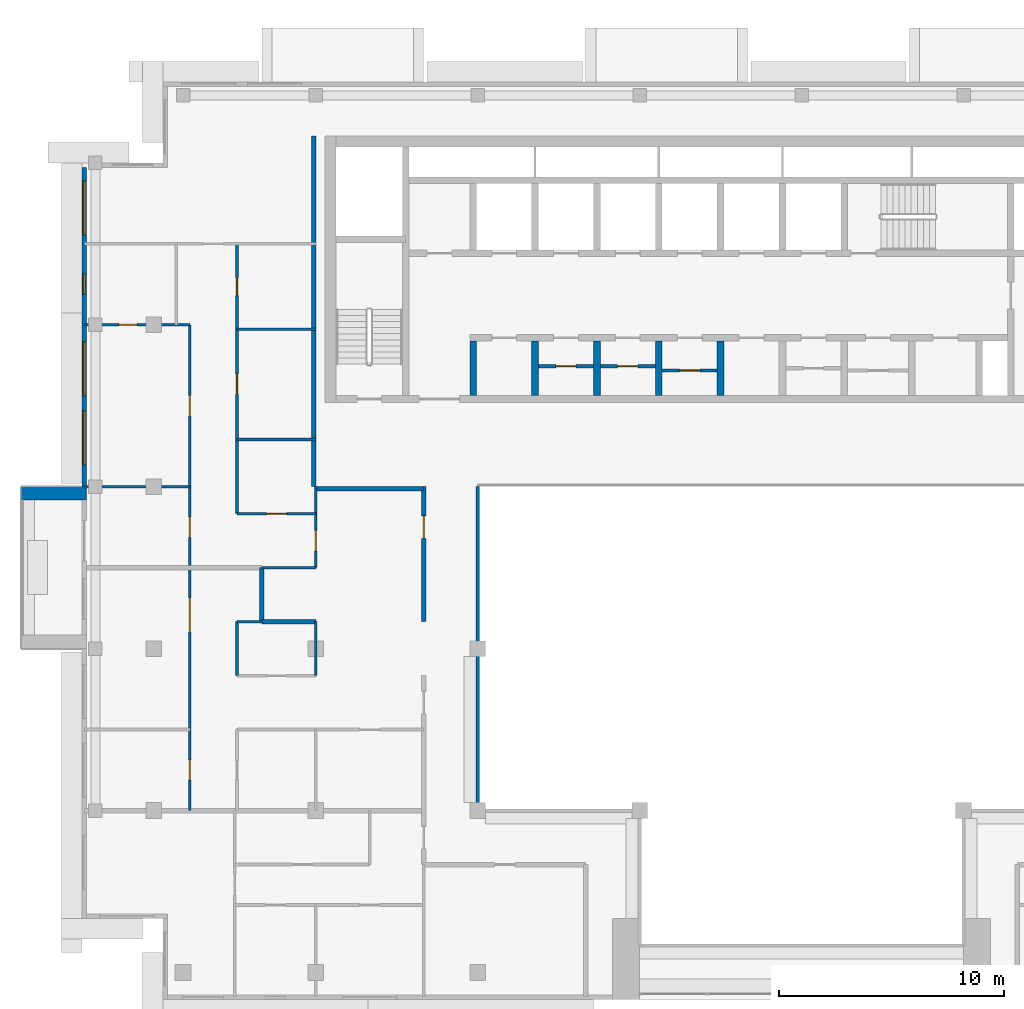
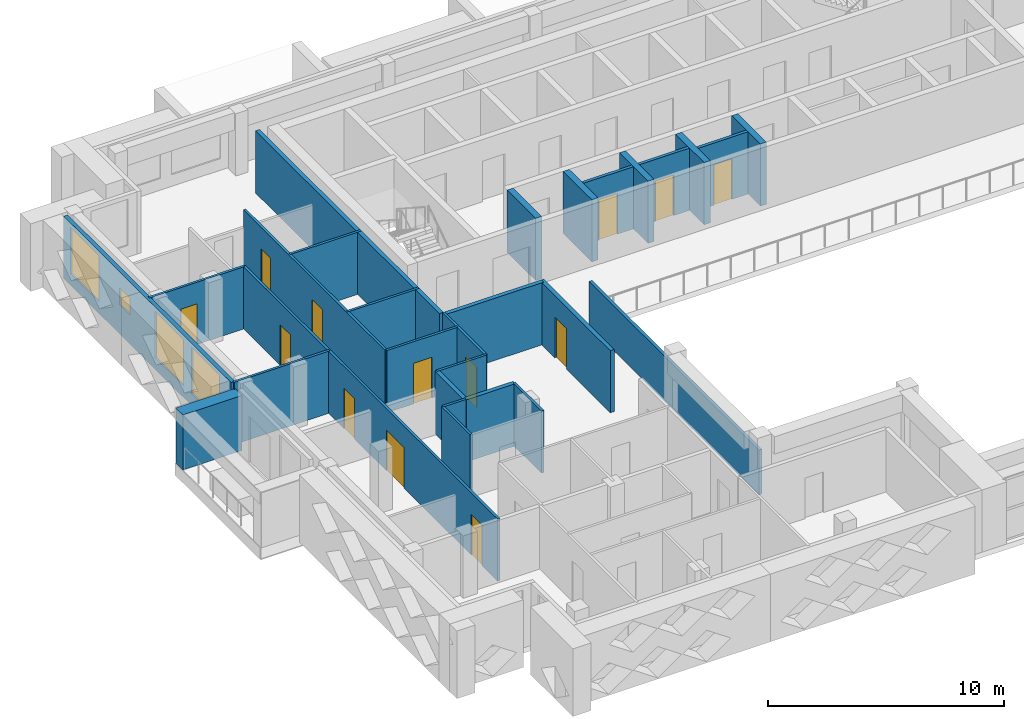
# One storey, part 7 of 18: 28 walls, 13 doors, 4 windows, 17 openings.
"""IFC4 building model written with IfcOpenShell, lengths in metres."""

from ifc_helpers import new_model, si_unit, direction, frame, frame_2d, origin, place, context, subcontext, project, spatial, rectangle, extrude, material, layer, layer_set, type_object, element, fill, save


model = new_model("IFC4")

# Units and contexts
model_context = context("Model", 3, precision=1e-05, world=origin(), true_north=direction((0.0, 1.0)))
body_context = subcontext(model_context, "Body", "Model", "MODEL_VIEW")
ifc_project = project(units=[si_unit("LENGTHUNIT", "METRE"), si_unit("AREAUNIT", "SQUARE_METRE"), si_unit("VOLUMEUNIT", "CUBIC_METRE"), si_unit("PLANEANGLEUNIT", "RADIAN"), si_unit("MASSUNIT", "GRAM", prefix="KILO")], contexts=[model_context])

# Site, building, storey
site_placement = place(None, origin())
site = spatial("IfcSite", under=ifc_project, at=site_placement, CompositionType="ELEMENT")
building_placement = place(site_placement, origin())
building = spatial("IfcBuilding", under=site, at=building_placement, Name="Saffron Iwan Residences", CompositionType="ELEMENT")
storey_placement = place(building_placement, frame((0.0, 0.0, 260.5)))
storey = spatial("IfcBuildingStorey", under=building, at=storey_placement, Name="L70", CompositionType="ELEMENT", Elevation=260.5)

# Walls
ifc_material_1 = material(Name="Fire-rated glazing", Category="glass")
ifc_layer_1 = layer(ifc_material_1, 0.14990234375)
ifc_layer_set_1 = layer_set([ifc_layer_1], Name="Fire-rated glazing")
wall_type_1 = type_object("IfcWallType", Name="Atrium glazed screen 150", PredefinedType="SOLIDWALL", material=ifc_layer_set_1)
wall_1_placement = place(storey_placement, frame((36.0, 48.0, 0.0), z_axis=(0.0, 0.0, 1.0), x_axis=(0.0, 1.0, 0.0)))
element("IfcWall", 1, at=wall_1_placement, inside=storey, type_object=wall_type_1, Name="W-L70-SCREEN-v36-48", PredefinedType="SOLIDWALL", context=body_context, shape_type="SweptSolid", body=[
    extrude(rectangle(XDim=14.39990234375, YDim=0.14990234375, at=frame_2d((7.199951171875, 0.0))), origin(), (0.0, 0.0, 1.0), 2.320068359375),
])
ifc_material_2 = material(Name="Concrete C50/60 white painted", Category="concrete")
ifc_layer_2 = layer(ifc_material_2, 0.60009765625)
ifc_layer_set_2 = layer_set([ifc_layer_2], Name="Concrete C50/60 white painted")
wall_type_2 = type_object("IfcWallType", Name="BALCONY FIN 600", PredefinedType="SOLIDWALL", material=ifc_layer_set_2)
wall_2_placement = place(storey_placement, frame((18.60009765625, 62.10009765625, 0.0), z_axis=(0.0, 0.0, 1.0), x_axis=(-1.0, 0.0, 0.0)))
element("IfcWall", 2, at=wall_2_placement, inside=storey, type_object=wall_type_2, Name="Balcony fin L70 F8-0a", PredefinedType="SOLIDWALL", context=body_context, shape_type="SweptSolid", body=[
    extrude(rectangle(XDim=2.900146484375, YDim=0.60009765625, at=frame_2d((1.4501953125, 0.0))), origin(), (0.0, 0.0, 1.0), 2.85009765625),
])

# Wall, opening, door
ifc_material_3 = material(Name="Fire-rated plasterboard partition")
ifc_layer_3 = layer(ifc_material_3, 0.14990234375)
ifc_layer_set_3 = layer_set([ifc_layer_3], Name="Fire-rated plasterboard partition")
wall_type_3 = type_object("IfcWallType", Name="Core partition 150", PredefinedType="PARTITIONING", material=ifc_layer_set_3)
wall_3_placement = place(storey_placement, frame((38.699951171875, 67.759521484375, 0.0), z_axis=(0.0, 0.0, 1.0), x_axis=(1.0, 0.0, 0.0)))
wall_3 = element("IfcWall", 3, at=wall_3_placement, inside=storey, type_object=wall_type_3, Name="Core partition P01", PredefinedType="PARTITIONING", context=body_context, shape_type="SweptSolid", body=[
    extrude(rectangle(XDim=2.449951171875, YDim=0.14990234375, at=frame_2d((1.22509765625, 0.0))), origin(), (0.0, 0.0, 1.0), 3.219970703125),
])
opening_1_placement = place(wall_3_placement, frame((0.77490234375, 0.0, 0.0)))
opening_1 = element("IfcOpeningElement", 4, at=opening_1_placement, cuts=wall_3, Name="Opening SB", PredefinedType="OPENING", context=body_context, shape_type="SweptSolid", body=[
    extrude(rectangle(XDim=0.89990234375, YDim=2.10009765625, at=frame_2d((0.449951171875, 1.050048828125))), frame((0.0, 0.0849609375, 0.0), z_axis=(0.0, -1.0, 0.0), x_axis=(1.0, 0.0, 0.0)), (0.0, 0.0, 1.0), 0.169921875),
])
ifc_material_4 = material(Name="Steel fire door", Category="steel")
door_type_1 = type_object("IfcDoorType", Name="Store door 900", OperationType="NOTDEFINED", PredefinedType="DOOR", material=ifc_material_4)
door_1_placement = place(opening_1_placement, origin())
door_1 = element("IfcDoor", 5, at=door_1_placement, inside=storey, type_object=door_type_1, Name="Door Equipment store", OperationType="SINGLE_SWING_RIGHT", OverallHeight=2.10009765625, OverallWidth=0.89990234375, PredefinedType="DOOR", context=body_context, shape_type="SweptSolid", body=[
    extrude(rectangle(XDim=0.89990234375, YDim=2.10009765625, at=frame_2d((0.449951171875, 1.050048828125))), frame((0.0, 0.02490234375, 0.0), z_axis=(0.0, -1.0, 0.0), x_axis=(1.0, 0.0, 0.0)), (0.0, 0.0, 1.0), 0.050048828125),
])
fill(opening_1, door_1)

wall_4_placement = place(storey_placement, frame((41.449951171875, 67.759521484375, 0.0), z_axis=(0.0, 0.0, 1.0), x_axis=(1.0, 0.0, 0.0)))
wall_4 = element("IfcWall", 6, at=wall_4_placement, inside=storey, type_object=wall_type_3, Name="Core partition P02", PredefinedType="PARTITIONING", context=body_context, shape_type="SweptSolid", body=[
    extrude(rectangle(XDim=2.449951171875, YDim=0.14990234375, at=frame_2d((1.22509765625, 0.0))), origin(), (0.0, 0.0, 1.0), 3.219970703125),
])
opening_2_placement = place(wall_4_placement, frame((0.77490234375, 0.0, 0.0)))
opening_2 = element("IfcOpeningElement", 7, at=opening_2_placement, cuts=wall_4, Name="Opening SB", PredefinedType="OPENING", context=body_context, shape_type="SweptSolid", body=[
    extrude(rectangle(XDim=0.89990234375, YDim=2.10009765625, at=frame_2d((0.449951171875, 1.050048828125))), frame((0.0, 0.0849609375, 0.0), z_axis=(0.0, -1.0, 0.0), x_axis=(1.0, 0.0, 0.0)), (0.0, 0.0, 1.0), 0.169921875),
])
door_2_placement = place(opening_2_placement, origin())
door_2 = element("IfcDoor", 8, at=door_2_placement, inside=storey, type_object=door_type_1, Name="Door Mop store", OperationType="SINGLE_SWING_LEFT", OverallHeight=2.10009765625, OverallWidth=0.89990234375, PredefinedType="DOOR", context=body_context, shape_type="SweptSolid", body=[
    extrude(rectangle(XDim=0.89990234375, YDim=2.10009765625, at=frame_2d((0.449951171875, 1.050048828125))), frame((0.0, 0.02490234375, 0.0), z_axis=(0.0, -1.0, 0.0), x_axis=(1.0, 0.0, 0.0)), (0.0, 0.0, 1.0), 0.050048828125),
])
fill(opening_2, door_2)

wall_5_placement = place(storey_placement, frame((44.199951171875, 67.5654296875, 0.0), z_axis=(0.0, 0.0, 1.0), x_axis=(1.0, 0.0, 0.0)))
wall_5 = element("IfcWall", 9, at=wall_5_placement, inside=storey, type_object=wall_type_3, Name="Core partition P03", PredefinedType="PARTITIONING", context=body_context, shape_type="SweptSolid", body=[
    extrude(rectangle(XDim=2.449951171875, YDim=0.14990234375, at=frame_2d((1.22509765625, 0.0))), origin(), (0.0, 0.0, 1.0), 3.219970703125),
])
opening_3_placement = place(wall_5_placement, frame((0.77490234375, 0.0, 0.0)))
opening_3 = element("IfcOpeningElement", 10, at=opening_3_placement, cuts=wall_5, Name="Opening SB", PredefinedType="OPENING", context=body_context, shape_type="SweptSolid", body=[
    extrude(rectangle(XDim=0.89990234375, YDim=2.10009765625, at=frame_2d((0.449951171875, 1.050048828125))), frame((0.0, 0.0849609375, 0.0), z_axis=(0.0, -1.0, 0.0), x_axis=(1.0, 0.0, 0.0)), (0.0, 0.0, 1.0), 0.169921875),
])
door_3_placement = place(opening_3_placement, origin())
door_3 = element("IfcDoor", 11, at=door_3_placement, inside=storey, type_object=door_type_1, Name="Door Spares store", OperationType="SINGLE_SWING_LEFT", OverallHeight=2.10009765625, OverallWidth=0.89990234375, PredefinedType="DOOR", context=body_context, shape_type="SweptSolid", body=[
    extrude(rectangle(XDim=0.89990234375, YDim=2.10009765625, at=frame_2d((0.449951171875, 1.050048828125))), frame((0.0, 0.02490234375, 0.0), z_axis=(0.0, -1.0, 0.0), x_axis=(1.0, 0.0, 0.0)), (0.0, 0.0, 1.0), 0.050048828125),
])
fill(opening_3, door_3)

# Wall, openings, windows
ifc_material_5 = material(Name="Concrete C40/50", Category="concrete")
ifc_layer_4 = layer(ifc_material_5, 0.199951171875)
ifc_layer_set_4 = layer_set([ifc_layer_4], Name="Concrete C40/50")
wall_type_4 = type_object("IfcWallType", Name="EXTERNAL WALL 200", PredefinedType="SOLIDWALL", material=ifc_layer_set_4)
wall_6_placement = place(storey_placement, frame((18.5, 76.60009765625, 0.0), z_axis=(0.0, 0.0, 1.0), x_axis=(0.0, -1.0, 0.0)))
wall_6 = element("IfcWall", 12, at=wall_6_placement, inside=storey, type_object=wall_type_4, Name="External wall L70 F8.0", PredefinedType="SOLIDWALL", context=body_context, shape_type="SweptSolid", body=[
    extrude(rectangle(XDim=14.2001953125, YDim=0.199951171875, at=frame_2d((7.10009765625, 0.0))), origin(), (0.0, 0.0, 1.0), 3.219970703125),
])
opening_4_placement = place(wall_6_placement, frame((7.7666015625, 0.0, 0.60009765625)))
opening_4 = element("IfcOpeningElement", 13, at=opening_4_placement, cuts=wall_6, Name="Opening W1", PredefinedType="OPENING", context=body_context, shape_type="SweptSolid", body=[
    extrude(rectangle(XDim=2.39990234375, YDim=2.39990234375, at=frame_2d((1.199951171875, 1.199951171875))), frame((0.0, 0.10986328125, 0.0), z_axis=(0.0, -1.0, 0.0), x_axis=(1.0, 0.0, 0.0)), (0.0, 0.0, 1.0), 0.219970703125),
])
opening_5_placement = place(wall_6_placement, frame((10.833251953125, 0.0, 0.60009765625)))
opening_5 = element("IfcOpeningElement", 14, at=opening_5_placement, cuts=wall_6, Name="Opening W1", PredefinedType="OPENING", context=body_context, shape_type="SweptSolid", body=[
    extrude(rectangle(XDim=2.39990234375, YDim=2.39990234375, at=frame_2d((1.199951171875, 1.199951171875))), frame((0.0, 0.10986328125, 0.0), z_axis=(0.0, -1.0, 0.0), x_axis=(1.0, 0.0, 0.0)), (0.0, 0.0, 1.0), 0.219970703125),
])
opening_6_placement = place(wall_6_placement, frame((4.75, 0.0, 1.5)))
opening_6 = element("IfcOpeningElement", 15, at=opening_6_placement, cuts=wall_6, Name="Opening W6", PredefinedType="OPENING", context=body_context, shape_type="SweptSolid", body=[
    extrude(rectangle(XDim=0.89990234375, YDim=0.89990234375, at=frame_2d((0.449951171875, 0.449951171875))), frame((0.0, 0.10986328125, 0.0), z_axis=(0.0, -1.0, 0.0), x_axis=(1.0, 0.0, 0.0)), (0.0, 0.0, 1.0), 0.219970703125),
])
opening_7_placement = place(wall_6_placement, frame((0.60009765625, 0.0, 0.60009765625)))
opening_7 = element("IfcOpeningElement", 16, at=opening_7_placement, cuts=wall_6, Name="Opening W1", PredefinedType="OPENING", context=body_context, shape_type="SweptSolid", body=[
    extrude(rectangle(XDim=2.39990234375, YDim=2.39990234375, at=frame_2d((1.199951171875, 1.199951171875))), frame((0.0, 0.10986328125, 0.0), z_axis=(0.0, -1.0, 0.0), x_axis=(1.0, 0.0, 0.0)), (0.0, 0.0, 1.0), 0.219970703125),
])
ifc_material_6 = material(Name="Clear glass, laminated double glazed", Category="glass")
window_type_1 = type_object("IfcWindowType", Name="WINDOW 2400 x 2400", PartitioningType="DOUBLE_PANEL_VERTICAL", PredefinedType="WINDOW", material=ifc_material_6)
window_1_placement = place(opening_4_placement, origin())
window_1 = element("IfcWindow", 17, at=window_1_placement, inside=storey, type_object=window_type_1, Name="Window L70 F8.0", OverallHeight=2.39990234375, OverallWidth=2.39990234375, PartitioningType="DOUBLE_PANEL_VERTICAL", PredefinedType="WINDOW", context=body_context, shape_type="SweptSolid", body=[
    extrude(rectangle(XDim=2.39990234375, YDim=2.39990234375, at=frame_2d((1.199951171875, 1.199951171875))), frame((0.0, 0.030029296875, 0.0), z_axis=(0.0, -1.0, 0.0), x_axis=(1.0, 0.0, 0.0)), (0.0, 0.0, 1.0), 0.06005859375),
])
fill(opening_4, window_1)
window_2_placement = place(opening_5_placement, origin())
window_2 = element("IfcWindow", 18, at=window_2_placement, inside=storey, type_object=window_type_1, Name="Window L70 F8.1", OverallHeight=2.39990234375, OverallWidth=2.39990234375, PartitioningType="DOUBLE_PANEL_VERTICAL", PredefinedType="WINDOW", context=body_context, shape_type="SweptSolid", body=[
    extrude(rectangle(XDim=2.39990234375, YDim=2.39990234375, at=frame_2d((1.199951171875, 1.199951171875))), frame((0.0, 0.030029296875, 0.0), z_axis=(0.0, -1.0, 0.0), x_axis=(1.0, 0.0, 0.0)), (0.0, 0.0, 1.0), 0.06005859375),
])
fill(opening_5, window_2)
window_3_placement = place(opening_7_placement, origin())
window_3 = element("IfcWindow", 19, at=window_3_placement, inside=storey, type_object=window_type_1, Name="Window L70 F8.3", OverallHeight=2.39990234375, OverallWidth=2.39990234375, PartitioningType="DOUBLE_PANEL_VERTICAL", PredefinedType="WINDOW", context=body_context, shape_type="SweptSolid", body=[
    extrude(rectangle(XDim=2.39990234375, YDim=2.39990234375, at=frame_2d((1.199951171875, 1.199951171875))), frame((0.0, 0.030029296875, 0.0), z_axis=(0.0, -1.0, 0.0), x_axis=(1.0, 0.0, 0.0)), (0.0, 0.0, 1.0), 0.06005859375),
])
fill(opening_7, window_3)
window_type_2 = type_object("IfcWindowType", Name="WINDOW 900 x 900 BATH", PartitioningType="SINGLE_PANEL", PredefinedType="WINDOW", material=ifc_material_6)
window_4_placement = place(opening_6_placement, origin())
window_4 = element("IfcWindow", 20, at=window_4_placement, inside=storey, type_object=window_type_2, Name="Window L70 F8.2", OverallHeight=0.89990234375, OverallWidth=0.89990234375, PartitioningType="SINGLE_PANEL", PredefinedType="WINDOW", context=body_context, shape_type="SweptSolid", body=[
    extrude(rectangle(XDim=0.89990234375, YDim=0.89990234375, at=frame_2d((0.449951171875, 0.449951171875))), frame((0.0, 0.030029296875, 0.0), z_axis=(0.0, -1.0, 0.0), x_axis=(1.0, 0.0, 0.0)), (0.0, 0.0, 1.0), 0.06005859375),
])
fill(opening_6, window_4)

# Walls
ifc_material_7 = material(Name="Fire-rated gypsum board wall")
ifc_layer_5 = layer(ifc_material_7, 0.199951171875)
ifc_layer_set_5 = layer_set([ifc_layer_5], Name="Fire-rated gypsum board wall")
wall_type_5 = type_object("IfcWallType", Name="Flat demising wall 200", PredefinedType="SOLIDWALL", material=ifc_layer_set_5)
for number, where, z_axis, x_axis, name in (
    (21, (26.39990234375, 56.39990234375, 0.0), (0.0, 0.0, 1.0), (1.0, 0.0, 0.0), "W-L70-DEMISE-h56.4-26.4"),
    (22, (26.39990234375, 56.39990234375, 0.0), (0.0, 0.0, 1.0), (0.0, 1.0, 0.0), "W-L70-DEMISE-v26.4-56.4"),
):
    element("IfcWall", number, at=place(storey_placement, frame(where, z_axis=z_axis, x_axis=x_axis)), inside=storey, type_object=wall_type_5, Name=name, PredefinedType="SOLIDWALL", context=body_context, shape_type="SweptSolid", body=[
        extrude(rectangle(XDim=2.400146484375, YDim=0.199951171875, at=frame_2d((1.2001953125, 0.0))), origin(), (0.0, 0.0, 1.0), 3.219970703125),
    ])
ifc_material_8 = material(Name="Gypsum board partition")
ifc_layer_6 = layer(ifc_material_8, 0.1201171875)
ifc_layer_set_6 = layer_set([ifc_layer_6], Name="Gypsum board partition")
wall_type_6 = type_object("IfcWallType", Name="Flat partition 120", PredefinedType="PARTITIONING", material=ifc_layer_set_6)
wall_7_placement = place(storey_placement, frame((25.300048828125, 56.39990234375, 0.0), z_axis=(0.0, 0.0, 1.0), x_axis=(1.0, 0.0, 0.0)))
element("IfcWall", 23, at=wall_7_placement, inside=storey, type_object=wall_type_6, Name="W-L70-PART-h56.4-25.3", PredefinedType="PARTITIONING", context=body_context, shape_type="SweptSolid", body=[
    extrude(rectangle(XDim=1.099853515625, YDim=0.1201171875, at=frame_2d((0.5498046875, 0.0))), origin(), (0.0, 0.0, 1.0), 3.219970703125),
])
wall_8_placement = place(storey_placement, frame((26.39990234375, 58.800048828125, 0.0), z_axis=(0.0, 0.0, 1.0), x_axis=(1.0, 0.0, 0.0)))
element("IfcWall", 24, at=wall_8_placement, inside=storey, type_object=wall_type_6, Name="W-L70-PART-h58.8-26.4", PredefinedType="PARTITIONING", context=body_context, shape_type="SweptSolid", body=[
    extrude(rectangle(XDim=2.400146484375, YDim=0.1201171875, at=frame_2d((1.2001953125, 0.0))), origin(), (0.0, 0.0, 1.0), 3.219970703125),
])

# Wall, opening, door
wall_9_placement = place(storey_placement, frame((25.300048828125, 61.199951171875, 0.0), z_axis=(0.0, 0.0, 1.0), x_axis=(1.0, 0.0, 0.0)))
wall_9 = element("IfcWall", 25, at=wall_9_placement, inside=storey, type_object=wall_type_6, Name="W-L70-PART-h61.2-25.3", PredefinedType="PARTITIONING", context=body_context, shape_type="SweptSolid", body=[
    extrude(rectangle(XDim=3.5, YDim=0.1201171875, at=frame_2d((1.75, 0.0))), origin(), (0.0, 0.0, 1.0), 3.219970703125),
])
opening_8_placement = place(wall_9_placement, frame((1.300048828125, 0.0, 0.0)))
opening_8 = element("IfcOpeningElement", 26, at=opening_8_placement, cuts=wall_9, Name="Opening FD2", PredefinedType="OPENING", context=body_context, shape_type="SweptSolid", body=[
    extrude(rectangle(XDim=0.89990234375, YDim=2.10009765625, at=frame_2d((0.449951171875, 1.050048828125))), frame((0.0, 0.070068359375, 0.0), z_axis=(0.0, -1.0, 0.0), x_axis=(1.0, 0.0, 0.0)), (0.0, 0.0, 1.0), 0.14013671875),
])
ifc_material_9 = material(Name="Timber door", Category="wood")
door_type_2 = type_object("IfcDoorType", Name="Flat door 900", OperationType="NOTDEFINED", PredefinedType="DOOR", material=ifc_material_9)
door_4_placement = place(opening_8_placement, origin())
door_4 = element("IfcDoor", 27, at=door_4_placement, inside=storey, type_object=door_type_2, Name="Door L70-026", OperationType="SINGLE_SWING_LEFT", OverallHeight=2.10009765625, OverallWidth=0.89990234375, PredefinedType="DOOR", context=body_context, shape_type="SweptSolid", body=[
    extrude(rectangle(XDim=0.89990234375, YDim=2.10009765625, at=frame_2d((0.449951171875, 1.050048828125))), frame((0.0, 0.02490234375, 0.0), z_axis=(0.0, -1.0, 0.0), x_axis=(1.0, 0.0, 0.0)), (0.0, 0.0, 1.0), 0.050048828125),
])
fill(opening_8, door_4)

# Walls
wall_10_placement = place(storey_placement, frame((18.52490234375, 62.39990234375, 0.0), z_axis=(0.0, 0.0, 1.0), x_axis=(1.0, 0.0, 0.0)))
element("IfcWall", 28, at=wall_10_placement, inside=storey, type_object=wall_type_6, Name="W-L70-PART-h62.4-18.525", PredefinedType="PARTITIONING", context=body_context, shape_type="SweptSolid", body=[
    extrude(rectangle(XDim=4.675048828125, YDim=0.1201171875, at=frame_2d((2.33740234375, 0.0))), origin(), (0.0, 0.0, 1.0), 3.219970703125),
])
for number, where, z_axis, x_axis, name in (
    (29, (25.300048828125, 64.5, 0.0), (0.0, 0.0, 1.0), (1.0, 0.0, 0.0), "W-L70-PART-h64.5-25.3"),
    (30, (25.300048828125, 69.39990234375, 0.0), (0.0, 0.0, 1.0), (1.0, 0.0, 0.0), "W-L70-PART-h69.4-25.3"),
):
    element("IfcWall", number, at=place(storey_placement, frame(where, z_axis=z_axis, x_axis=x_axis)), inside=storey, type_object=wall_type_6, Name=name, PredefinedType="PARTITIONING", context=body_context, shape_type="SweptSolid", body=[
        extrude(rectangle(XDim=3.5, YDim=0.1201171875, at=frame_2d((1.75, 0.0))), origin(), (0.0, 0.0, 1.0), 3.219970703125),
    ])

# Wall, opening, door
wall_11_placement = place(storey_placement, frame((18.52490234375, 69.60009765625, 0.0), z_axis=(0.0, 0.0, 1.0), x_axis=(1.0, 0.0, 0.0)))
wall_11 = element("IfcWall", 31, at=wall_11_placement, inside=storey, type_object=wall_type_6, Name="W-L70-PART-h69.6-18.525", PredefinedType="PARTITIONING", context=body_context, shape_type="SweptSolid", body=[
    extrude(rectangle(XDim=4.675048828125, YDim=0.1201171875, at=frame_2d((2.33740234375, 0.0))), origin(), (0.0, 0.0, 1.0), 3.219970703125),
])
opening_9_placement = place(wall_11_placement, frame((1.53759765625, 0.0, 0.0)))
opening_9 = element("IfcOpeningElement", 32, at=opening_9_placement, cuts=wall_11, Name="Opening FD3", PredefinedType="OPENING", context=body_context, shape_type="SweptSolid", body=[
    extrude(rectangle(XDim=0.800048828125, YDim=2.10009765625, at=frame_2d((0.39990234375, 1.050048828125))), frame((0.0, 0.070068359375, 0.0), z_axis=(0.0, -1.0, 0.0), x_axis=(1.0, 0.0, 0.0)), (0.0, 0.0, 1.0), 0.14013671875),
])
door_type_3 = type_object("IfcDoorType", Name="Bathroom door 800", OperationType="NOTDEFINED", PredefinedType="DOOR", material=ifc_material_9)
door_5_placement = place(opening_9_placement, origin())
door_5 = element("IfcDoor", 33, at=door_5_placement, inside=storey, type_object=door_type_3, Name="Door L70-024", OperationType="SINGLE_SWING_LEFT", OverallHeight=2.10009765625, OverallWidth=0.800048828125, PredefinedType="DOOR", context=body_context, shape_type="SweptSolid", body=[
    extrude(rectangle(XDim=0.800048828125, YDim=2.10009765625, at=frame_2d((0.39990234375, 1.050048828125))), frame((0.0, 0.02490234375, 0.0), z_axis=(0.0, -1.0, 0.0), x_axis=(1.0, 0.0, 0.0)), (0.0, 0.0, 1.0), 0.050048828125),
])
fill(opening_9, door_5)

# Wall, openings, doors
wall_12_placement = place(storey_placement, frame((23.199951171875, 48.0, 0.0), z_axis=(0.0, 0.0, 1.0), x_axis=(0.0, 1.0, 0.0)))
wall_12 = element("IfcWall", 34, at=wall_12_placement, inside=storey, type_object=wall_type_6, Name="W-L70-PART-v23.2-48", PredefinedType="PARTITIONING", context=body_context, shape_type="SweptSolid", body=[
    extrude(rectangle(XDim=21.60009765625, YDim=0.1201171875, at=frame_2d((10.800048828125, 0.0))), origin(), (0.0, 0.0, 1.0), 3.219970703125),
])
opening_10_placement = place(wall_12_placement, frame((1.35009765625, 0.0, 0.0)))
opening_10 = element("IfcOpeningElement", 35, at=opening_10_placement, cuts=wall_12, Name="Opening FD2", PredefinedType="OPENING", context=body_context, shape_type="SweptSolid", body=[
    extrude(rectangle(XDim=0.89990234375, YDim=2.10009765625, at=frame_2d((0.449951171875, 1.050048828125))), frame((0.0, 0.070068359375, 0.0), z_axis=(0.0, -1.0, 0.0), x_axis=(1.0, 0.0, 0.0)), (0.0, 0.0, 1.0), 0.14013671875),
])
opening_11_placement = place(wall_12_placement, frame((7.949951171875, 0.0, 0.0)))
opening_11 = element("IfcOpeningElement", 36, at=opening_11_placement, cuts=wall_12, Name="Opening FD4", PredefinedType="OPENING", context=body_context, shape_type="SweptSolid", body=[
    extrude(rectangle(XDim=1.5, YDim=2.10009765625, at=frame_2d((0.75, 1.050048828125))), frame((0.0, 0.070068359375, 0.0), z_axis=(0.0, -1.0, 0.0), x_axis=(1.0, 0.0, 0.0)), (0.0, 0.0, 1.0), 0.14013671875),
])
opening_12_placement = place(wall_12_placement, frame((12.14990234375, 0.0, 0.0)))
opening_12 = element("IfcOpeningElement", 37, at=opening_12_placement, cuts=wall_12, Name="Opening FD2", PredefinedType="OPENING", context=body_context, shape_type="SweptSolid", body=[
    extrude(rectangle(XDim=0.89990234375, YDim=2.10009765625, at=frame_2d((0.449951171875, 1.050048828125))), frame((0.0, 0.070068359375, 0.0), z_axis=(0.0, -1.0, 0.0), x_axis=(1.0, 0.0, 0.0)), (0.0, 0.0, 1.0), 0.14013671875),
])
opening_13_placement = place(wall_12_placement, frame((17.550048828125, 0.0, 0.0)))
opening_13 = element("IfcOpeningElement", 38, at=opening_13_placement, cuts=wall_12, Name="Opening FD2", PredefinedType="OPENING", context=body_context, shape_type="SweptSolid", body=[
    extrude(rectangle(XDim=0.89990234375, YDim=2.10009765625, at=frame_2d((0.449951171875, 1.050048828125))), frame((0.0, 0.070068359375, 0.0), z_axis=(0.0, -1.0, 0.0), x_axis=(1.0, 0.0, 0.0)), (0.0, 0.0, 1.0), 0.14013671875),
])
door_type_4 = type_object("IfcDoorType", Name="Double door 1500", OperationType="NOTDEFINED", PredefinedType="DOOR", material=ifc_material_9)
door_6_placement = place(opening_11_placement, origin())
door_6 = element("IfcDoor", 39, at=door_6_placement, inside=storey, type_object=door_type_4, Name="Door L70-009", OperationType="SINGLE_SWING_LEFT", OverallHeight=2.10009765625, OverallWidth=1.5, PredefinedType="DOOR", context=body_context, shape_type="SweptSolid", body=[
    extrude(rectangle(XDim=1.5, YDim=2.10009765625, at=frame_2d((0.75, 1.050048828125))), frame((0.0, 0.02490234375, 0.0), z_axis=(0.0, -1.0, 0.0), x_axis=(1.0, 0.0, 0.0)), (0.0, 0.0, 1.0), 0.050048828125),
])
fill(opening_11, door_6)
door_7_placement = place(opening_10_placement, origin())
door_7 = element("IfcDoor", 40, at=door_7_placement, inside=storey, type_object=door_type_2, Name="Door L70-008", OperationType="SINGLE_SWING_LEFT", OverallHeight=2.10009765625, OverallWidth=0.89990234375, PredefinedType="DOOR", context=body_context, shape_type="SweptSolid", body=[
    extrude(rectangle(XDim=0.89990234375, YDim=2.10009765625, at=frame_2d((0.449951171875, 1.050048828125))), frame((0.0, 0.02490234375, 0.0), z_axis=(0.0, -1.0, 0.0), x_axis=(1.0, 0.0, 0.0)), (0.0, 0.0, 1.0), 0.050048828125),
])
fill(opening_10, door_7)
door_8_placement = place(opening_12_placement, origin())
door_8 = element("IfcDoor", 41, at=door_8_placement, inside=storey, type_object=door_type_2, Name="Door L70-022", OperationType="SINGLE_SWING_LEFT", OverallHeight=2.10009765625, OverallWidth=0.89990234375, PredefinedType="DOOR", context=body_context, shape_type="SweptSolid", body=[
    extrude(rectangle(XDim=0.89990234375, YDim=2.10009765625, at=frame_2d((0.449951171875, 1.050048828125))), frame((0.0, 0.02490234375, 0.0), z_axis=(0.0, -1.0, 0.0), x_axis=(1.0, 0.0, 0.0)), (0.0, 0.0, 1.0), 0.050048828125),
])
fill(opening_12, door_8)
door_9_placement = place(opening_13_placement, origin())
door_9 = element("IfcDoor", 42, at=door_9_placement, inside=storey, type_object=door_type_2, Name="Door L70-023", OperationType="SINGLE_SWING_LEFT", OverallHeight=2.10009765625, OverallWidth=0.89990234375, PredefinedType="DOOR", context=body_context, shape_type="SweptSolid", body=[
    extrude(rectangle(XDim=0.89990234375, YDim=2.10009765625, at=frame_2d((0.449951171875, 1.050048828125))), frame((0.0, 0.02490234375, 0.0), z_axis=(0.0, -1.0, 0.0), x_axis=(1.0, 0.0, 0.0)), (0.0, 0.0, 1.0), 0.050048828125),
])
fill(opening_13, door_9)

# Wall
wall_13_placement = place(storey_placement, frame((25.300048828125, 54.0, 0.0), z_axis=(0.0, 0.0, 1.0), x_axis=(0.0, 1.0, 0.0)))
element("IfcWall", 43, at=wall_13_placement, inside=storey, type_object=wall_type_6, Name="W-L70-PART-v25.3-54", PredefinedType="PARTITIONING", context=body_context, shape_type="SweptSolid", body=[
    extrude(rectangle(XDim=2.39990234375, YDim=0.1201171875, at=frame_2d((1.199951171875, 0.0))), origin(), (0.0, 0.0, 1.0), 3.219970703125),
])

# Wall, openings, doors
wall_14_placement = place(storey_placement, frame((25.300048828125, 61.199951171875, 0.0), z_axis=(0.0, 0.0, 1.0), x_axis=(0.0, 1.0, 0.0)))
wall_14 = element("IfcWall", 44, at=wall_14_placement, inside=storey, type_object=wall_type_6, Name="W-L70-PART-v25.3-61.2", PredefinedType="PARTITIONING", context=body_context, shape_type="SweptSolid", body=[
    extrude(rectangle(XDim=12.0, YDim=0.1201171875, at=frame_2d((6.0, 0.0))), origin(), (0.0, 0.0, 1.0), 3.219970703125),
])
opening_14_placement = place(wall_14_placement, frame((5.300048828125, 0.0, 0.0)))
opening_14 = element("IfcOpeningElement", 45, at=opening_14_placement, cuts=wall_14, Name="Opening FD2", PredefinedType="OPENING", context=body_context, shape_type="SweptSolid", body=[
    extrude(rectangle(XDim=0.89990234375, YDim=2.10009765625, at=frame_2d((0.449951171875, 1.050048828125))), frame((0.0, 0.070068359375, 0.0), z_axis=(0.0, -1.0, 0.0), x_axis=(1.0, 0.0, 0.0)), (0.0, 0.0, 1.0), 0.14013671875),
])
opening_15_placement = place(wall_14_placement, frame((9.699951171875, 0.0, 0.0)))
opening_15 = element("IfcOpeningElement", 46, at=opening_15_placement, cuts=wall_14, Name="Opening FD3", PredefinedType="OPENING", context=body_context, shape_type="SweptSolid", body=[
    extrude(rectangle(XDim=0.800048828125, YDim=2.10009765625, at=frame_2d((0.39990234375, 1.050048828125))), frame((0.0, 0.070068359375, 0.0), z_axis=(0.0, -1.0, 0.0), x_axis=(1.0, 0.0, 0.0)), (0.0, 0.0, 1.0), 0.14013671875),
])
door_10_placement = place(opening_15_placement, origin())
door_10 = element("IfcDoor", 47, at=door_10_placement, inside=storey, type_object=door_type_3, Name="Door L70-028", OperationType="SINGLE_SWING_LEFT", OverallHeight=2.10009765625, OverallWidth=0.800048828125, PredefinedType="DOOR", context=body_context, shape_type="SweptSolid", body=[
    extrude(rectangle(XDim=0.800048828125, YDim=2.10009765625, at=frame_2d((0.39990234375, 1.050048828125))), frame((0.0, 0.02490234375, 0.0), z_axis=(0.0, -1.0, 0.0), x_axis=(1.0, 0.0, 0.0)), (0.0, 0.0, 1.0), 0.050048828125),
])
fill(opening_15, door_10)
door_11_placement = place(opening_14_placement, origin())
door_11 = element("IfcDoor", 48, at=door_11_placement, inside=storey, type_object=door_type_2, Name="Door L70-027", OperationType="SINGLE_SWING_RIGHT", OverallHeight=2.10009765625, OverallWidth=0.89990234375, PredefinedType="DOOR", context=body_context, shape_type="SweptSolid", body=[
    extrude(rectangle(XDim=0.89990234375, YDim=2.10009765625, at=frame_2d((0.449951171875, 1.050048828125))), frame((0.0, 0.02490234375, 0.0), z_axis=(0.0, -1.0, 0.0), x_axis=(1.0, 0.0, 0.0)), (0.0, 0.0, 1.0), 0.050048828125),
])
fill(opening_14, door_11)

# Wall
wall_15_placement = place(storey_placement, frame((28.800048828125, 54.0, 0.0), z_axis=(0.0, 0.0, 1.0), x_axis=(0.0, 1.0, 0.0)))
element("IfcWall", 49, at=wall_15_placement, inside=storey, type_object=wall_type_6, Name="W-L70-PART-v28.8-54", PredefinedType="PARTITIONING", context=body_context, shape_type="SweptSolid", body=[
    extrude(rectangle(XDim=2.39990234375, YDim=0.1201171875, at=frame_2d((1.199951171875, 0.0))), origin(), (0.0, 0.0, 1.0), 3.219970703125),
])

# Wall, opening, door
wall_16_placement = place(storey_placement, frame((28.800048828125, 58.800048828125, 0.0), z_axis=(0.0, 0.0, 1.0), x_axis=(0.0, 1.0, 0.0)))
wall_16 = element("IfcWall", 50, at=wall_16_placement, inside=storey, type_object=wall_type_6, Name="W-L70-PART-v28.8-58.8", PredefinedType="PARTITIONING", context=body_context, shape_type="SweptSolid", body=[
    extrude(rectangle(XDim=3.599853515625, YDim=0.1201171875, at=frame_2d((1.7998046875, 0.0))), origin(), (0.0, 0.0, 1.0), 3.219970703125),
])
opening_16_placement = place(wall_16_placement, frame((0.75, 0.0, 0.0)))
opening_16 = element("IfcOpeningElement", 51, at=opening_16_placement, cuts=wall_16, Name="Opening FD2", PredefinedType="OPENING", context=body_context, shape_type="SweptSolid", body=[
    extrude(rectangle(XDim=0.89990234375, YDim=2.10009765625, at=frame_2d((0.449951171875, 1.050048828125))), frame((0.0, 0.070068359375, 0.0), z_axis=(0.0, -1.0, 0.0), x_axis=(1.0, 0.0, 0.0)), (0.0, 0.0, 1.0), 0.14013671875),
])
door_12_placement = place(opening_16_placement, origin())
door_12 = element("IfcDoor", 52, at=door_12_placement, inside=storey, type_object=door_type_2, Name="Door L70-020", OperationType="SINGLE_SWING_LEFT", OverallHeight=2.10009765625, OverallWidth=0.89990234375, PredefinedType="DOOR", context=body_context, shape_type="SweptSolid", body=[
    extrude(rectangle(XDim=0.89990234375, YDim=2.10009765625, at=frame_2d((0.449951171875, 1.050048828125))), frame((0.0, 0.02490234375, 0.0), z_axis=(0.0, -1.0, 0.0), x_axis=(1.0, 0.0, 0.0)), (0.0, 0.0, 1.0), 0.050048828125),
])
fill(opening_16, door_12)

# Walls
ifc_layer_7 = layer(ifc_material_7, 0.199951171875)
ifc_layer_set_7 = layer_set([ifc_layer_7], Name="Fire-rated gypsum board wall")
wall_type_7 = type_object("IfcWallType", Name="Gallery wall 200", PredefinedType="SOLIDWALL", material=ifc_layer_set_7)
wall_17_placement = place(storey_placement, frame((28.800048828125, 62.300048828125, 0.0), z_axis=(0.0, 0.0, 1.0), x_axis=(1.0, 0.0, 0.0)))
element("IfcWall", 53, at=wall_17_placement, inside=storey, type_object=wall_type_7, Name="W-L70-CORR-h62.4-28.8", PredefinedType="SOLIDWALL", context=body_context, shape_type="SweptSolid", body=[
    extrude(rectangle(XDim=4.800048828125, YDim=0.199951171875, at=frame_2d((2.39990234375, 0.0))), origin(), (0.0, 0.0, 1.0), 3.219970703125),
])
wall_18_placement = place(storey_placement, frame((28.699951171875, 62.39990234375, 0.0), z_axis=(0.0, 0.0, 1.0), x_axis=(0.0, 1.0, 0.0)))
element("IfcWall", 54, at=wall_18_placement, inside=storey, type_object=wall_type_7, Name="W-L70-CORR-v28.8-62.4", PredefinedType="SOLIDWALL", context=body_context, shape_type="SweptSolid", body=[
    extrude(rectangle(XDim=15.60009765625, YDim=0.199951171875, at=frame_2d((7.800048828125, 0.0))), origin(), (0.0, 0.0, 1.0), 3.219970703125),
])

# Wall, opening, door
wall_19_placement = place(storey_placement, frame((33.60009765625, 56.39990234375, 0.0), z_axis=(0.0, 0.0, 1.0), x_axis=(0.0, 1.0, 0.0)))
wall_19 = element("IfcWall", 55, at=wall_19_placement, inside=storey, type_object=wall_type_7, Name="W-L70-CORR-v33.6-56.4", PredefinedType="SOLIDWALL", context=body_context, shape_type="SweptSolid", body=[
    extrude(rectangle(XDim=6.0, YDim=0.199951171875, at=frame_2d((3.0, 0.0))), origin(), (0.0, 0.0, 1.0), 3.219970703125),
])
opening_17_placement = place(wall_19_placement, frame((3.699951171875, 0.0, 0.0)))
opening_17 = element("IfcOpeningElement", 56, at=opening_17_placement, cuts=wall_19, Name="Opening FD5", PredefinedType="OPENING", context=body_context, shape_type="SweptSolid", body=[
    extrude(rectangle(XDim=1.0, YDim=2.10009765625, at=frame_2d((0.5, 1.050048828125))), frame((0.0, 0.10986328125, 0.0), z_axis=(0.0, -1.0, 0.0), x_axis=(1.0, 0.0, 0.0)), (0.0, 0.0, 1.0), 0.219970703125),
])
ifc_material_10 = material(Name="Fire-rated timber door", Category="wood")
door_type_5 = type_object("IfcDoorType", Name="Lobby door 1000", OperationType="NOTDEFINED", PredefinedType="DOOR", material=ifc_material_10)
door_13_placement = place(opening_17_placement, origin())
door_13 = element("IfcDoor", 57, at=door_13_placement, inside=storey, type_object=door_type_5, Name="Door L70-021", OperationType="SINGLE_SWING_RIGHT", OverallHeight=2.10009765625, OverallWidth=1.0, PredefinedType="DOOR", context=body_context, shape_type="SweptSolid", body=[
    extrude(rectangle(XDim=1.0, YDim=2.10009765625, at=frame_2d((0.5, 1.050048828125))), frame((0.0, 0.02490234375, 0.0), z_axis=(0.0, -1.0, 0.0), x_axis=(1.0, 0.0, 0.0)), (0.0, 0.0, 1.0), 0.050048828125),
])
fill(opening_17, door_13)

# Walls
ifc_layer_8 = layer(ifc_material_5, 0.300048828125)
ifc_layer_set_8 = layer_set([ifc_layer_8], Name="Concrete C40/50")
wall_type_8 = type_object("IfcWallType", Name="WALL CORE 300 C40/50 3220 HIGH", PredefinedType="SHEAR", material=ifc_layer_set_8)
for number, where, z_axis, x_axis, name in (
    (58, (35.800048828125, 66.449951171875, 0.0), (0.0, 0.0, 1.0), (0.0, 1.0, 0.0), "Core wall"),
    (59, (38.550048828125, 66.449951171875, 0.0), (0.0, 0.0, 1.0), (0.0, 1.0, 0.0), "Core wall"),
    (60, (41.300048828125, 66.449951171875, 0.0), (0.0, 0.0, 1.0), (0.0, 1.0, 0.0), "Core wall"),
    (61, (44.050048828125, 66.449951171875, 0.0), (0.0, 0.0, 1.0), (0.0, 1.0, 0.0), "Core wall"),
    (62, (46.800048828125, 66.449951171875, 0.0), (0.0, 0.0, 1.0), (0.0, 1.0, 0.0), "Core wall"),
):
    element("IfcWall", number, at=place(storey_placement, frame(where, z_axis=z_axis, x_axis=x_axis)), inside=storey, type_object=wall_type_8, Name=name, PredefinedType="SHEAR", context=body_context, shape_type="SweptSolid", body=[
        extrude(rectangle(XDim=2.425048828125, YDim=0.300048828125, at=frame_2d((1.21240234375, 0.0))), origin(), (0.0, 0.0, 1.0), 3.219970703125),
    ])

save(model, "model.ifc")
